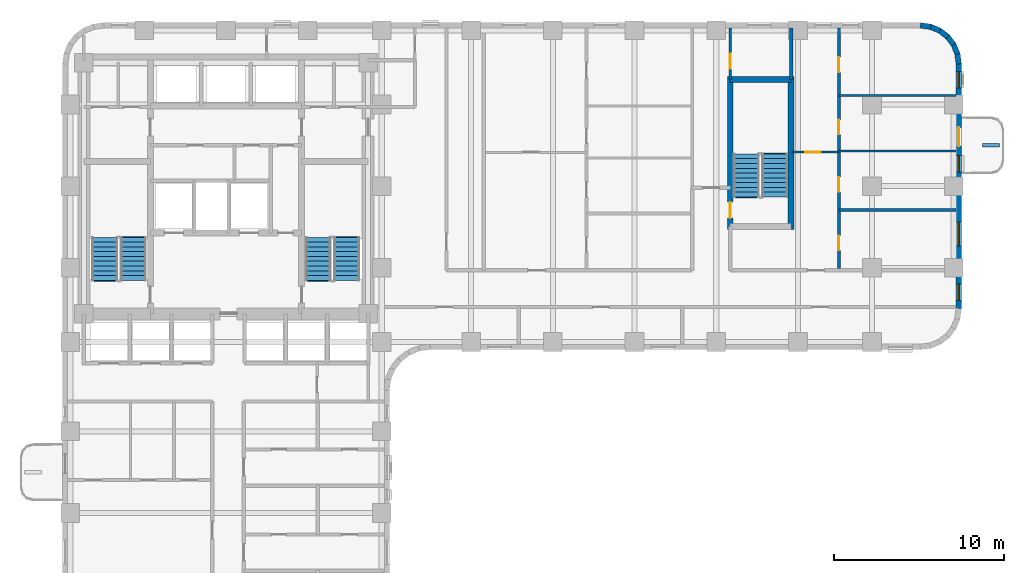
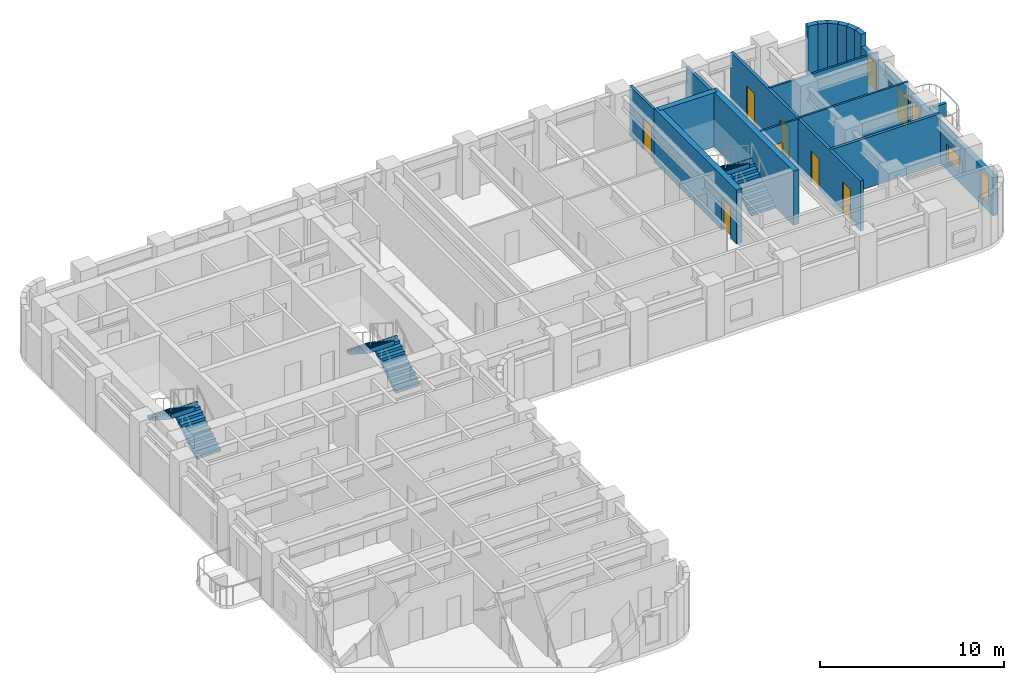
# One storey, part 7 of 11: 18 walls, 8 doors, 6 stair flights, 4 windows, 12 openings, 3 elements without a shape of their own.
"""IFC4 building model written with IfcOpenShell, lengths in metres."""

from ifc_helpers import new_model, si_unit, direction, frame, frame_2d, origin, place, context, subcontext, project, spatial, polyline, rectangle, outline, extrude, material, layer, layer_set, type_object, element, fill, aggregate, save


model = new_model("IFC4")

# Units and contexts
model_context = context("Model", 3, precision=1e-05, world=origin(), true_north=direction((0.0, 1.0)))
body_context = subcontext(model_context, "Body", "Model", "MODEL_VIEW")
ifc_project = project(units=[si_unit("LENGTHUNIT", "METRE"), si_unit("AREAUNIT", "SQUARE_METRE"), si_unit("VOLUMEUNIT", "CUBIC_METRE"), si_unit("PLANEANGLEUNIT", "RADIAN"), si_unit("MASSUNIT", "GRAM", prefix="KILO")], contexts=[model_context])

# Site, building, storey
site_placement = place(None, origin())
site = spatial("IfcSite", under=ifc_project, at=site_placement, CompositionType="ELEMENT")
building_placement = place(site_placement, origin())
building = spatial("IfcBuilding", under=site, at=building_placement, Name="Orvandelia Arch Residences", CompositionType="ELEMENT")
storey_placement = place(building_placement, frame((0.0, 0.0, 61.0)))
storey = spatial("IfcBuildingStorey", under=building, at=storey_placement, Name="L15", CompositionType="ELEMENT", Elevation=61.0)

# Wall, opening, door
ifc_material_1 = material(Name="Concrete C50/60", Category="concrete")
ifc_layer_1 = layer(ifc_material_1, 0.35009765625, Name="Concrete C50/60", Category="concrete")
ifc_layer_set_1 = layer_set([ifc_layer_1], Name="Concrete C50/60")
wall_type_1 = type_object("IfcWallType", Name="WL-CORE-350", PredefinedType="SHEAR", material=ifc_layer_set_1)
wall_1_placement = place(storey_placement, frame((44.02001953125, 35.864990234375, 0.0), z_axis=(0.0, 0.0, 1.0), x_axis=(0.0, 1.0, 0.0)))
wall_1 = element("IfcWall", 1, at=wall_1_placement, inside=storey, type_object=wall_type_1, Name="East Stair Core Shear Wall L15-W", PredefinedType="SHEAR", context=body_context, shape_type="SweptSolid", body=[
    extrude(rectangle(XDim=8.969970703125, YDim=0.35009765625, at=frame_2d((4.48486328125, 0.0))), origin(), (0.0, 0.0, 1.0), 3.60009765625),
])
opening_1_placement = place(wall_1_placement, frame((0.64990234375, 0.0, 0.0)))
opening_1 = element("IfcOpeningElement", 2, at=opening_1_placement, cuts=wall_1, Name="Opening D7", PredefinedType="OPENING", context=body_context, shape_type="SweptSolid", body=[
    extrude(rectangle(XDim=0.949951171875, YDim=2.10009765625, at=frame_2d((0.47509765625, 1.050048828125))), frame((0.0, 0.18505859375, 0.0), z_axis=(0.0, -1.0, 0.0), x_axis=(1.0, 0.0, 0.0)), (0.0, 0.0, 1.0), 0.3701171875),
])
ifc_material_2 = material(Name="Pressurised Stairwell Fire Door")
door_type_1 = type_object("IfcDoorType", Name="DR-STAIR-950", OperationType="NOTDEFINED", PredefinedType="DOOR", material=ifc_material_2)
door_1_placement = place(opening_1_placement, origin())
door_1 = element("IfcDoor", 3, at=door_1_placement, inside=storey, type_object=door_type_1, Name="East Stairwell ST-3 Fire Door L15", OperationType="SINGLE_SWING_LEFT", OverallHeight=2.10009765625, OverallWidth=0.949951171875, PredefinedType="DOOR", context=body_context, shape_type="SweptSolid", body=[
    extrude(rectangle(XDim=0.949951171875, YDim=2.10009765625, at=frame_2d((0.47509765625, 1.050048828125))), frame((0.0, 0.02490234375, 0.0), z_axis=(0.0, -1.0, 0.0), x_axis=(1.0, 0.0, 0.0)), (0.0, 0.0, 1.0), 0.050048828125),
])
fill(opening_1, door_1)

# Walls
wall_2_placement = place(storey_placement, frame((47.60009765625, 35.864990234375, 0.0), z_axis=(0.0, 0.0, 1.0), x_axis=(0.0, 1.0, 0.0)))
element("IfcWall", 4, at=wall_2_placement, inside=storey, type_object=wall_type_1, Name="East Stair Core Shear Wall L15-E", PredefinedType="SHEAR", context=body_context, shape_type="SweptSolid", body=[
    extrude(rectangle(XDim=8.969970703125, YDim=0.35009765625, at=frame_2d((4.48486328125, 0.0))), origin(), (0.0, 0.0, 1.0), 3.60009765625),
])
wall_3_placement = place(storey_placement, frame((44.02001953125, 44.659912109375, 0.0), z_axis=(0.0, 0.0, 1.0), x_axis=(1.0, 0.0, 0.0)))
element("IfcWall", 5, at=wall_3_placement, inside=storey, type_object=wall_type_1, Name="East Stair Core Shear Wall L15-N", PredefinedType="SHEAR", context=body_context, shape_type="SweptSolid", body=[
    extrude(rectangle(XDim=3.580078125, YDim=0.35009765625, at=frame_2d((1.7900390625, 0.0))), origin(), (0.0, 0.0, 1.0), 3.60009765625),
])
ifc_material_3 = material(Name="Concrete C40/50", Category="concrete")
ifc_layer_2 = layer(ifc_material_3, 0.199951171875, Name="Concrete C40/50", Category="concrete")
ifc_layer_set_2 = layer_set([ifc_layer_2], Name="Concrete C40/50")
wall_type_2 = type_object("IfcWallType", Name="WL-DEM-200", PredefinedType="SOLIDWALL", material=ifc_layer_set_2)
wall_4_placement = place(storey_placement, frame((47.60009765625, 44.659912109375, 0.0), z_axis=(0.0, 0.0, 1.0), x_axis=(0.0, 1.0, 0.0)))
element("IfcWall", 6, at=wall_4_placement, inside=storey, type_object=wall_type_2, Name="Interior Partition Wall WL-L15-ES-NST3E", PredefinedType="SOLIDWALL", context=body_context, shape_type="SweptSolid", body=[
    extrude(rectangle(XDim=3.02001953125, YDim=0.199951171875, at=frame_2d((1.510009765625, 0.0))), origin(), (0.0, 0.0, 1.0), 3.35009765625),
])
ifc_material_4 = material(Name="Precast concrete C40/50", Category="concrete")
ifc_layer_3 = layer(ifc_material_4, 0.320068359375, Name="Precast concrete C40/50", Category="concrete")
ifc_layer_set_3 = layer_set([ifc_layer_3], Name="Precast concrete C40/50")
wall_type_3 = type_object("IfcWallType", Name="WL-EXT-STONE-320", PredefinedType="STANDARD", material=ifc_layer_set_3)
for number, where, z_axis, x_axis, name in (
    (7, (55.17919921875, 47.84130859375, 0.0), (0.0, 0.0, 1.0), (0.9914410257, -0.130555323746, 0.0), "Coral-Limestone Precast Facade Wall L15-008"),
    (8, (55.760009765625, 47.7705078125, 0.0), (0.0, 0.0, 1.0), (0.92389335771, -0.382650053678, 0.0), "Coral-Limestone Precast Facade Wall L15-009"),
):
    element("IfcWall", number, at=place(storey_placement, frame(where, z_axis=z_axis, x_axis=x_axis)), inside=storey, type_object=wall_type_3, Name=name, PredefinedType="STANDARD", context=body_context, shape_type="SweptSolid", body=[
        extrude(rectangle(XDim=0.62646484375, YDim=0.320068359375, at=frame_2d((0.313232421875, 0.0))), origin(), (0.0, 0.0, 1.0), 3.35009765625),
    ])
wall_5_placement = place(storey_placement, frame((56.302490234375, 47.551513671875, 0.0), z_axis=(0.0, 0.0, 1.0), x_axis=(0.793549926411, -0.608505147302, 0.0)))
element("IfcWall", 9, at=wall_5_placement, inside=storey, type_object=wall_type_3, Name="Coral-Limestone Precast Facade Wall L15-010", PredefinedType="STANDARD", context=body_context, shape_type="SweptSolid", body=[
    extrude(rectangle(XDim=0.626708984375, YDim=0.320068359375, at=frame_2d((0.3134765625, 0.0))), origin(), (0.0, 0.0, 1.0), 3.35009765625),
])
for number, where, z_axis, x_axis, name in (
    (10, (56.770263671875, 47.19970703125, 0.0), (0.0, 0.0, 1.0), (0.608693302629, -0.793405610854, 0.0), "Coral-Limestone Precast Facade Wall L15-011"),
    (11, (57.130615234375, 46.73876953125, 0.0), (0.0, 0.0, 1.0), (0.382650053678, -0.92389335771, 0.0), "Coral-Limestone Precast Facade Wall L15-012"),
    (12, (57.359619140625, 46.2001953125, 0.0), (0.0, 0.0, 1.0), (0.130555323746, -0.9914410257, 0.0), "Coral-Limestone Precast Facade Wall L15-013"),
):
    element("IfcWall", number, at=place(storey_placement, frame(where, z_axis=z_axis, x_axis=x_axis)), inside=storey, type_object=wall_type_3, Name=name, PredefinedType="STANDARD", context=body_context, shape_type="SweptSolid", body=[
        extrude(rectangle(XDim=0.62646484375, YDim=0.320068359375, at=frame_2d((0.313232421875, 0.0))), origin(), (0.0, 0.0, 1.0), 3.35009765625),
    ])

# Wall, openings, door, windows
wall_6_placement = place(storey_placement, frame((57.43994140625, 45.60009765625, 0.0), z_axis=(0.0, 0.0, 1.0), x_axis=(0.0, -1.0, 0.0)))
wall_6 = element("IfcWall", 13, at=wall_6_placement, inside=storey, type_object=wall_type_3, Name="Coral-Limestone Precast Facade Wall L15-014", PredefinedType="STANDARD", context=body_context, shape_type="SweptSolid", body=[
    extrude(rectangle(XDim=14.400146484375, YDim=0.320068359375, at=frame_2d((7.2001953125, 0.0))), origin(), (0.0, 0.0, 1.0), 2.530029296875),
])
opening_2_placement = place(wall_6_placement, frame((3.75, 0.0, 0.0)))
opening_2 = element("IfcOpeningElement", 14, at=opening_2_placement, cuts=wall_6, Name="Opening BD1", PredefinedType="OPENING", context=body_context, shape_type="SweptSolid", body=[
    extrude(rectangle(XDim=1.10009765625, YDim=2.14990234375, at=frame_2d((0.550048828125, 1.074951171875))), frame((0.0, 0.169921875, 0.0), z_axis=(0.0, -1.0, 0.0), x_axis=(1.0, 0.0, 0.0)), (0.0, 0.0, 1.0), 0.340087890625),
])
opening_3_placement = place(wall_6_placement, frame((0.469970703125, 0.0, 0.449951171875)))
opening_3 = element("IfcOpeningElement", 15, at=opening_3_placement, cuts=wall_6, Name="Opening W4", PredefinedType="OPENING", context=body_context, shape_type="SweptSolid", body=[
    extrude(rectangle(XDim=0.949951171875, YDim=1.800048828125, at=frame_2d((0.47509765625, 0.89990234375))), frame((0.0, 0.169921875, 0.0), z_axis=(0.0, -1.0, 0.0), x_axis=(1.0, 0.0, 0.0)), (0.0, 0.0, 1.0), 0.340087890625),
])
opening_4_placement = place(wall_6_placement, frame((12.9599609375, 0.0, 0.449951171875)))
opening_4 = element("IfcOpeningElement", 16, at=opening_4_placement, cuts=wall_6, Name="Opening W4", PredefinedType="OPENING", context=body_context, shape_type="SweptSolid", body=[
    extrude(rectangle(XDim=0.949951171875, YDim=1.800048828125, at=frame_2d((0.47509765625, 0.89990234375))), frame((0.0, 0.169921875, 0.0), z_axis=(0.0, -1.0, 0.0), x_axis=(1.0, 0.0, 0.0)), (0.0, 0.0, 1.0), 0.340087890625),
])
opening_5_placement = place(wall_6_placement, frame((9.3115234375, 0.0, 0.64990234375)))
opening_5 = element("IfcOpeningElement", 17, at=opening_5_placement, cuts=wall_6, Name="Opening W10", PredefinedType="OPENING", context=body_context, shape_type="SweptSolid", body=[
    extrude(rectangle(XDim=1.39990234375, YDim=1.10009765625, at=frame_2d((0.699951171875, 0.550048828125))), frame((0.0, 0.169921875, 0.0), z_axis=(0.0, -1.0, 0.0), x_axis=(1.0, 0.0, 0.0)), (0.0, 0.0, 1.0), 0.340087890625),
])
opening_6_placement = place(wall_6_placement, frame((5.407470703125, 0.0, 0.449951171875)))
opening_6 = element("IfcOpeningElement", 18, at=opening_6_placement, cuts=wall_6, Name="Opening W4", PredefinedType="OPENING", context=body_context, shape_type="SweptSolid", body=[
    extrude(rectangle(XDim=0.949951171875, YDim=1.800048828125, at=frame_2d((0.47509765625, 0.89990234375))), frame((0.0, 0.169921875, 0.0), z_axis=(0.0, -1.0, 0.0), x_axis=(1.0, 0.0, 0.0)), (0.0, 0.0, 1.0), 0.340087890625),
])
ifc_material_5 = material(Name="Thermally Broken Aluminium Glazed Door", Category="aluminium")
door_type_2 = type_object("IfcDoorType", Name="DR-BAL-GLAZ-1100", OperationType="NOTDEFINED", PredefinedType="DOOR", material=ifc_material_5)
door_2_placement = place(opening_2_placement, origin())
door_2 = element("IfcDoor", 19, at=door_2_placement, inside=storey, type_object=door_type_2, Name="Tree Balcony Glazed Door BAL-L15-E1", OperationType="SINGLE_SWING_LEFT", OverallHeight=2.14990234375, OverallWidth=1.10009765625, PredefinedType="DOOR", context=body_context, shape_type="SweptSolid", body=[
    extrude(rectangle(XDim=1.10009765625, YDim=2.14990234375, at=frame_2d((0.550048828125, 1.074951171875))), frame((0.0, 0.02490234375, 0.0), z_axis=(0.0, -1.0, 0.0), x_axis=(1.0, 0.0, 0.0)), (0.0, 0.0, 1.0), 0.050048828125),
])
fill(opening_2, door_2)
ifc_material_6 = material(Name="Tempered Low-E Insulated Glazing", Category="glass")
window_type_1 = type_object("IfcWindowType", Name="WIN-CLR-1400x1100", PartitioningType="SINGLE_PANEL", PredefinedType="WINDOW", material=ifc_material_6)
window_1_placement = place(opening_5_placement, origin())
window_1 = element("IfcWindow", 20, at=window_1_placement, inside=storey, type_object=window_type_1, Name="Recessed Punched Window L15-011", OverallHeight=1.10009765625, OverallWidth=1.39990234375, PartitioningType="SINGLE_PANEL", PredefinedType="WINDOW", context=body_context, shape_type="SweptSolid", body=[
    extrude(rectangle(XDim=1.39990234375, YDim=1.10009765625, at=frame_2d((0.699951171875, 0.550048828125))), frame((0.0, 0.030029296875, 0.0), z_axis=(0.0, -1.0, 0.0), x_axis=(1.0, 0.0, 0.0)), (0.0, 0.0, 1.0), 0.06005859375),
])
fill(opening_5, window_1)
window_type_2 = type_object("IfcWindowType", Name="WIN-RES-0950x1800", PartitioningType="SINGLE_PANEL", PredefinedType="WINDOW", material=ifc_material_6)
window_2_placement = place(opening_3_placement, origin())
window_2 = element("IfcWindow", 21, at=window_2_placement, inside=storey, type_object=window_type_2, Name="Recessed Punched Window L15-009", OverallHeight=1.800048828125, OverallWidth=0.949951171875, PartitioningType="SINGLE_PANEL", PredefinedType="WINDOW", context=body_context, shape_type="SweptSolid", body=[
    extrude(rectangle(XDim=0.949951171875, YDim=1.800048828125, at=frame_2d((0.47509765625, 0.89990234375))), frame((0.0, 0.030029296875, 0.0), z_axis=(0.0, -1.0, 0.0), x_axis=(1.0, 0.0, 0.0)), (0.0, 0.0, 1.0), 0.06005859375),
])
fill(opening_3, window_2)
window_3_placement = place(opening_4_placement, origin())
window_3 = element("IfcWindow", 22, at=window_3_placement, inside=storey, type_object=window_type_2, Name="Recessed Punched Window L15-010", OverallHeight=1.800048828125, OverallWidth=0.949951171875, PartitioningType="SINGLE_PANEL", PredefinedType="WINDOW", context=body_context, shape_type="SweptSolid", body=[
    extrude(rectangle(XDim=0.949951171875, YDim=1.800048828125, at=frame_2d((0.47509765625, 0.89990234375))), frame((0.0, 0.030029296875, 0.0), z_axis=(0.0, -1.0, 0.0), x_axis=(1.0, 0.0, 0.0)), (0.0, 0.0, 1.0), 0.06005859375),
])
fill(opening_4, window_3)
window_4_placement = place(opening_6_placement, origin())
window_4 = element("IfcWindow", 23, at=window_4_placement, inside=storey, type_object=window_type_2, Name="Recessed Punched Window L15-012", OverallHeight=1.800048828125, OverallWidth=0.949951171875, PartitioningType="SINGLE_PANEL", PredefinedType="WINDOW", context=body_context, shape_type="SweptSolid", body=[
    extrude(rectangle(XDim=0.949951171875, YDim=1.800048828125, at=frame_2d((0.47509765625, 0.89990234375))), frame((0.0, 0.030029296875, 0.0), z_axis=(0.0, -1.0, 0.0), x_axis=(1.0, 0.0, 0.0)), (0.0, 0.0, 1.0), 0.06005859375),
])
fill(opening_6, window_4)

# Wall, opening, door
ifc_material_7 = material(Name="Lightweight Gypsum Stud Partition")
ifc_layer_4 = layer(ifc_material_7, 0.1201171875, Name="Lightweight Gypsum Stud Partition")
ifc_layer_set_4 = layer_set([ifc_layer_4], Name="Lightweight Gypsum Stud Partition")
wall_type_4 = type_object("IfcWallType", Name="WL-PART-120", PredefinedType="PARTITIONING", material=ifc_layer_set_4)
wall_7_placement = place(storey_placement, frame((47.639892578125, 40.39404296875, 0.0), z_axis=(0.0, 0.0, 1.0), x_axis=(1.0, 0.0, 0.0)))
wall_7 = element("IfcWall", 24, at=wall_7_placement, inside=storey, type_object=wall_type_4, Name="Interior Partition Wall WL-L15-U08-DIN", PredefinedType="PARTITIONING", context=body_context, shape_type="SweptSolid", body=[
    extrude(rectangle(XDim=2.757080078125, YDim=0.1201171875, at=frame_2d((1.37841796875, 0.0))), origin(), (0.0, 0.0, 1.0), 3.35009765625),
])
opening_7_placement = place(wall_7_placement, frame((0.799560546875, 0.0, 0.0)))
opening_7 = element("IfcOpeningElement", 25, at=opening_7_placement, cuts=wall_7, Name="Opening D3", PredefinedType="OPENING", context=body_context, shape_type="SweptSolid", body=[
    extrude(rectangle(XDim=0.89990234375, YDim=2.14990234375, at=frame_2d((0.449951171875, 1.074951171875))), frame((0.0, 0.070068359375, 0.0), z_axis=(0.0, -1.0, 0.0), x_axis=(1.0, 0.0, 0.0)), (0.0, 0.0, 1.0), 0.14013671875),
])
ifc_material_8 = material(Name="Engineered Timber Flush Door", Category="wood")
door_type_3 = type_object("IfcDoorType", Name="DR-INT-900", OperationType="NOTDEFINED", PredefinedType="DOOR", material=ifc_material_8)
door_3_placement = place(opening_7_placement, origin())
door_3 = element("IfcDoor", 26, at=door_3_placement, inside=storey, type_object=door_type_3, Name="DR-L15-U08-DIN", OperationType="SINGLE_SWING_LEFT", OverallHeight=2.14990234375, OverallWidth=0.89990234375, PredefinedType="DOOR", context=body_context, shape_type="SweptSolid", body=[
    extrude(rectangle(XDim=0.89990234375, YDim=2.14990234375, at=frame_2d((0.449951171875, 1.074951171875))), frame((0.0, 0.02490234375, 0.0), z_axis=(0.0, -1.0, 0.0), x_axis=(1.0, 0.0, 0.0)), (0.0, 0.0, 1.0), 0.050048828125),
])
fill(opening_7, door_3)

# Walls
for number, where, z_axis, x_axis, name in (
    (27, (50.39697265625, 40.465087890625, 0.0), (0.0, 0.0, 1.0), (1.0, 0.0, 0.0), "Interior Partition Wall WL-L15-U08-H1B"),
    (28, (50.39697265625, 43.718994140625, 0.0), (0.0, 0.0, 1.0), (1.0, 0.0, 0.0), "Interior Partition Wall WL-L15-U08-H2"),
):
    element("IfcWall", number, at=place(storey_placement, frame(where, z_axis=z_axis, x_axis=x_axis)), inside=storey, type_object=wall_type_4, Name=name, PredefinedType="PARTITIONING", context=body_context, shape_type="SweptSolid", body=[
        extrude(rectangle(XDim=6.883056640625, YDim=0.1201171875, at=frame_2d((3.44140625, 0.0))), origin(), (0.0, 0.0, 1.0), 3.35009765625),
    ])

# Wall, opening, door
ifc_material_9 = material(Name="Acoustic Gypsum Stud Partition")
ifc_layer_5 = layer(ifc_material_9, 0.14990234375, Name="Acoustic Gypsum Stud Partition")
ifc_layer_set_5 = layer_set([ifc_layer_5], Name="Acoustic Gypsum Stud Partition")
wall_type_5 = type_object("IfcWallType", Name="WL-PART-150", PredefinedType="PARTITIONING", material=ifc_layer_set_5)
wall_8_placement = place(storey_placement, frame((44.02001953125, 44.659912109375, 0.0), z_axis=(0.0, 0.0, 1.0), x_axis=(0.0, 1.0, 0.0)))
wall_8 = element("IfcWall", 29, at=wall_8_placement, inside=storey, type_object=wall_type_5, Name="Interior Partition Wall WL-L15-ES-NST3W", PredefinedType="PARTITIONING", context=body_context, shape_type="SweptSolid", body=[
    extrude(rectangle(XDim=3.02001953125, YDim=0.14990234375, at=frame_2d((1.510009765625, 0.0))), origin(), (0.0, 0.0, 1.0), 3.35009765625),
])
opening_8_placement = place(wall_8_placement, frame((0.64990234375, 0.0, 0.0)))
opening_8 = element("IfcOpeningElement", 30, at=opening_8_placement, cuts=wall_8, Name="Opening D5", PredefinedType="OPENING", context=body_context, shape_type="SweptSolid", body=[
    extrude(rectangle(XDim=0.8798828125, YDim=2.10009765625, at=frame_2d((0.43994140625, 1.050048828125))), frame((0.0, 0.0849609375, 0.0), z_axis=(0.0, -1.0, 0.0), x_axis=(1.0, 0.0, 0.0)), (0.0, 0.0, 1.0), 0.169921875),
])
ifc_material_10 = material(Name="Painted Galvanised Steel Service Door", Category="steel")
door_type_4 = type_object("IfcDoorType", Name="DR-SRV-880", OperationType="NOTDEFINED", PredefinedType="DOOR", material=ifc_material_10)
door_4_placement = place(opening_8_placement, origin())
door_4 = element("IfcDoor", 31, at=door_4_placement, inside=storey, type_object=door_type_4, Name="DR-L15-ESNST3", OperationType="SINGLE_SWING_RIGHT", OverallHeight=2.10009765625, OverallWidth=0.8798828125, PredefinedType="DOOR", context=body_context, shape_type="SweptSolid", body=[
    extrude(rectangle(XDim=0.8798828125, YDim=2.10009765625, at=frame_2d((0.43994140625, 1.050048828125))), frame((0.0, 0.02490234375, 0.0), z_axis=(0.0, -1.0, 0.0), x_axis=(1.0, 0.0, 0.0)), (0.0, 0.0, 1.0), 0.050048828125),
])
fill(opening_8, door_4)

# Wall
ifc_layer_6 = layer(ifc_material_4, 0.199951171875, Name="Precast concrete C40/50", Category="concrete")
ifc_layer_set_6 = layer_set([ifc_layer_6], Name="Precast concrete C40/50")
wall_type_6 = type_object("IfcWallType", Name="WL-PLANTER-200", PredefinedType="MOVABLE", material=ifc_layer_set_6)
wall_9_placement = place(storey_placement, frame((58.85009765625, 40.800048828125, 0.0), z_axis=(0.0, 0.0, 1.0), x_axis=(1.0, 0.0, 0.0)))
element("IfcWall", 32, at=wall_9_placement, inside=storey, type_object=wall_type_6, Name="Balcony Precast Tree Planter BAL-L15-E1", PredefinedType="MOVABLE", context=body_context, shape_type="SweptSolid", body=[
    extrude(rectangle(XDim=1.0, YDim=0.199951171875, at=frame_2d((0.5, 0.0))), origin(), (0.0, 0.0, 1.0), 0.85009765625),
])

# Wall, openings, doors
ifc_material_11 = material(Name="Moisture-Resistant Plumbing Wall")
ifc_layer_7 = layer(ifc_material_11, 0.179931640625, Name="Moisture-Resistant Plumbing Wall")
ifc_layer_set_7 = layer_set([ifc_layer_7], Name="Moisture-Resistant Plumbing Wall")
wall_type_7 = type_object("IfcWallType", Name="WL-WET-180", PredefinedType="PLUMBINGWALL", material=ifc_layer_set_7)
wall_10_placement = place(storey_placement, frame((50.39697265625, 33.550048828125, 0.0), z_axis=(0.0, 0.0, 1.0), x_axis=(0.0, 1.0, 0.0)))
wall_10 = element("IfcWall", 33, at=wall_10_placement, inside=storey, type_object=wall_type_7, Name="Interior Partition Wall WL-L15-U08-VT", PredefinedType="PLUMBINGWALL", context=body_context, shape_type="SweptSolid", body=[
    extrude(rectangle(XDim=14.1298828125, YDim=0.179931640625, at=frame_2d((7.06494140625, 0.0))), origin(), (0.0, 0.0, 1.0), 3.35009765625),
])
opening_9_placement = place(wall_10_placement, frame((1.0830078125, 0.0, 0.0)))
opening_9 = element("IfcOpeningElement", 34, at=opening_9_placement, cuts=wall_10, Name="Opening D4", PredefinedType="OPENING", context=body_context, shape_type="SweptSolid", body=[
    extrude(rectangle(XDim=0.860107421875, YDim=2.10009765625, at=frame_2d((0.43017578125, 1.050048828125))), frame((0.0, 0.10009765625, 0.0), z_axis=(0.0, -1.0, 0.0), x_axis=(1.0, 0.0, 0.0)), (0.0, 0.0, 1.0), 0.199951171875),
])
opening_10_placement = place(wall_10_placement, frame((4.51806640625, 0.0, 0.0)))
opening_10 = element("IfcOpeningElement", 35, at=opening_10_placement, cuts=wall_10, Name="Opening D4", PredefinedType="OPENING", context=body_context, shape_type="SweptSolid", body=[
    extrude(rectangle(XDim=0.860107421875, YDim=2.10009765625, at=frame_2d((0.43017578125, 1.050048828125))), frame((0.0, 0.10009765625, 0.0), z_axis=(0.0, -1.0, 0.0), x_axis=(1.0, 0.0, 0.0)), (0.0, 0.0, 1.0), 0.199951171875),
])
opening_11_placement = place(wall_10_placement, frame((7.88427734375, 0.0, 0.0)))
opening_11 = element("IfcOpeningElement", 36, at=opening_11_placement, cuts=wall_10, Name="Opening D4", PredefinedType="OPENING", context=body_context, shape_type="SweptSolid", body=[
    extrude(rectangle(XDim=0.860107421875, YDim=2.10009765625, at=frame_2d((0.43017578125, 1.050048828125))), frame((0.0, 0.10009765625, 0.0), z_axis=(0.0, -1.0, 0.0), x_axis=(1.0, 0.0, 0.0)), (0.0, 0.0, 1.0), 0.199951171875),
])
opening_12_placement = place(wall_10_placement, frame((11.5283203125, 0.0, 0.0)))
opening_12 = element("IfcOpeningElement", 37, at=opening_12_placement, cuts=wall_10, Name="Opening D3", PredefinedType="OPENING", context=body_context, shape_type="SweptSolid", body=[
    extrude(rectangle(XDim=0.89990234375, YDim=2.14990234375, at=frame_2d((0.449951171875, 1.074951171875))), frame((0.0, 0.10009765625, 0.0), z_axis=(0.0, -1.0, 0.0), x_axis=(1.0, 0.0, 0.0)), (0.0, 0.0, 1.0), 0.199951171875),
])
door_5_placement = place(opening_12_placement, origin())
door_5 = element("IfcDoor", 38, at=door_5_placement, inside=storey, type_object=door_type_3, Name="DR-L15-U08-BD1", OperationType="SINGLE_SWING_RIGHT", OverallHeight=2.14990234375, OverallWidth=0.89990234375, PredefinedType="DOOR", context=body_context, shape_type="SweptSolid", body=[
    extrude(rectangle(XDim=0.89990234375, YDim=2.14990234375, at=frame_2d((0.449951171875, 1.074951171875))), frame((0.0, 0.02490234375, 0.0), z_axis=(0.0, -1.0, 0.0), x_axis=(1.0, 0.0, 0.0)), (0.0, 0.0, 1.0), 0.050048828125),
])
fill(opening_12, door_5)
ifc_material_12 = material(Name="Moisture-Sealed Timber Bathroom Door", Category="wood")
door_type_5 = type_object("IfcDoorType", Name="DR-WET-900", OperationType="NOTDEFINED", PredefinedType="DOOR", material=ifc_material_12)
door_6_placement = place(opening_9_placement, origin())
door_6 = element("IfcDoor", 39, at=door_6_placement, inside=storey, type_object=door_type_5, Name="DR-L15-U08-BTH", OperationType="SINGLE_SWING_LEFT", OverallHeight=2.10009765625, OverallWidth=0.860107421875, PredefinedType="DOOR", context=body_context, shape_type="SweptSolid", body=[
    extrude(rectangle(XDim=0.860107421875, YDim=2.10009765625, at=frame_2d((0.43017578125, 1.050048828125))), frame((0.0, 0.02490234375, 0.0), z_axis=(0.0, -1.0, 0.0), x_axis=(1.0, 0.0, 0.0)), (0.0, 0.0, 1.0), 0.050048828125),
])
fill(opening_9, door_6)
door_7_placement = place(opening_10_placement, origin())
door_7 = element("IfcDoor", 40, at=door_7_placement, inside=storey, type_object=door_type_5, Name="DR-L15-U08-KIT", OperationType="SINGLE_SWING_RIGHT", OverallHeight=2.10009765625, OverallWidth=0.860107421875, PredefinedType="DOOR", context=body_context, shape_type="SweptSolid", body=[
    extrude(rectangle(XDim=0.860107421875, YDim=2.10009765625, at=frame_2d((0.43017578125, 1.050048828125))), frame((0.0, 0.02490234375, 0.0), z_axis=(0.0, -1.0, 0.0), x_axis=(1.0, 0.0, 0.0)), (0.0, 0.0, 1.0), 0.050048828125),
])
fill(opening_10, door_7)
door_8_placement = place(opening_11_placement, origin())
door_8 = element("IfcDoor", 41, at=door_8_placement, inside=storey, type_object=door_type_5, Name="DR-L15-U08-STDY", OperationType="SINGLE_SWING_LEFT", OverallHeight=2.10009765625, OverallWidth=0.860107421875, PredefinedType="DOOR", context=body_context, shape_type="SweptSolid", body=[
    extrude(rectangle(XDim=0.860107421875, YDim=2.10009765625, at=frame_2d((0.43017578125, 1.050048828125))), frame((0.0, 0.02490234375, 0.0), z_axis=(0.0, -1.0, 0.0), x_axis=(1.0, 0.0, 0.0)), (0.0, 0.0, 1.0), 0.050048828125),
])
fill(opening_11, door_8)

# Wall
wall_11_placement = place(storey_placement, frame((50.39697265625, 37.007080078125, 0.0), z_axis=(0.0, 0.0, 1.0), x_axis=(1.0, 0.0, 0.0)))
element("IfcWall", 42, at=wall_11_placement, inside=storey, type_object=wall_type_7, Name="Interior Partition Wall WL-L15-U08-H1", PredefinedType="PLUMBINGWALL", context=body_context, shape_type="SweptSolid", body=[
    extrude(rectangle(XDim=6.883056640625, YDim=0.179931640625, at=frame_2d((3.44140625, 0.0))), origin(), (0.0, 0.0, 1.0), 3.35009765625),
])

# Stair, stair flights
stair_type = type_object("IfcStairType", Name="STAIR-RC-DOGLEG", PredefinedType="HALF_TURN_STAIR", material=ifc_material_3)
stair_1_placement = place(storey_placement, origin())
stair_1 = element("IfcStair", 43, at=stair_1_placement, inside=storey, type_object=stair_type, Name="L15 Protected Exit Stair ST-1", PredefinedType="HALF_TURN_STAIR")
stair_flight_type = type_object("IfcStairFlightType", Name="STFLT-RC-1520", PredefinedType="STRAIGHT", material=ifc_material_3)
stair_flight_1_placement = place(storey_placement, frame((8.9599609375, 32.8701171875, 0.0), z_axis=(0.0, 0.0, 1.0), x_axis=(0.0, 1.0, 0.0)))
stair_flight_1 = element("IfcStairFlight", 44, at=stair_flight_1_placement, type_object=stair_flight_type, Name="ST-1 flight 1", NumberOfRisers=10, NumberOfTreads=9, PredefinedType="STRAIGHT", RiserHeight=0.18, TreadLength=0.28, context=body_context, shape_type="SweptSolid", body=[
    extrude(outline(polyline([(0.0, 0.0), (0.0, 0.179931640625), (0.280029296875, 0.179931640625), (0.280029296875, 0.360107421875), (0.56005859375, 0.360107421875), (0.56005859375, 0.5400390625), (0.840087890625, 0.5400390625), (0.840087890625, 0.719970703125), (1.1201171875, 0.719970703125), (1.1201171875, 0.89990234375), (1.39990234375, 0.89990234375), (1.39990234375, 1.080078125), (1.679931640625, 1.080078125), (1.679931640625, 1.260009765625), (1.9599609375, 1.260009765625), (1.9599609375, 1.43994140625), (2.239990234375, 1.43994140625), (2.239990234375, 1.6201171875), (2.52001953125, 1.6201171875), (2.52001953125, 1.800048828125), (2.580078125, 1.800048828125), (2.580078125, 1.6201171875), (2.52001953125, 1.44189453125), (0.277099609375, 0.0), (0.0, 0.0)])), frame((0.0, 0.760009765625, 0.0), z_axis=(0.0, -1.0, 0.0), x_axis=(1.0, 0.0, 0.0)), (0.0, 0.0, 1.0), 1.52001953125),
])
stair_flight_2_placement = place(storey_placement, frame((7.2900390625, 35.389892578125, 1.800048828125), z_axis=(0.0, 0.0, 1.0), x_axis=(0.0, -1.0, 0.0)))
stair_flight_2 = element("IfcStairFlight", 45, at=stair_flight_2_placement, type_object=stair_flight_type, Name="ST-1 flight 2", NumberOfRisers=10, NumberOfTreads=9, PredefinedType="STRAIGHT", RiserHeight=0.18, TreadLength=0.28, context=body_context, shape_type="SweptSolid", body=[
    extrude(outline(polyline([(0.0, 0.0), (0.0, 0.179931640625), (0.280029296875, 0.179931640625), (0.280029296875, 0.360107421875), (0.56005859375, 0.360107421875), (0.56005859375, 0.5400390625), (0.840087890625, 0.5400390625), (0.840087890625, 0.719970703125), (1.1201171875, 0.719970703125), (1.1201171875, 0.89990234375), (1.39990234375, 0.89990234375), (1.39990234375, 1.080078125), (1.679931640625, 1.080078125), (1.679931640625, 1.260009765625), (1.9599609375, 1.260009765625), (1.9599609375, 1.43994140625), (2.239990234375, 1.43994140625), (2.239990234375, 1.6201171875), (2.52001953125, 1.6201171875), (2.52001953125, 1.800048828125), (2.580078125, 1.800048828125), (2.580078125, 1.6201171875), (2.52001953125, 1.44189453125), (0.277099609375, 0.0), (0.0, 0.0)])), frame((0.0, 0.760009765625, 0.0), z_axis=(0.0, -1.0, 0.0), x_axis=(1.0, 0.0, 0.0)), (0.0, 0.0, 1.0), 1.52001953125),
])
aggregate(stair_1, [stair_flight_1, stair_flight_2])

stair_2_placement = place(storey_placement, origin())
stair_2 = element("IfcStair", 46, at=stair_2_placement, inside=storey, type_object=stair_type, Name="L15 Protected Exit Stair ST-2", PredefinedType="HALF_TURN_STAIR")
stair_flight_3_placement = place(storey_placement, frame((21.489990234375, 32.8701171875, 0.0), z_axis=(0.0, 0.0, 1.0), x_axis=(0.0, 1.0, 0.0)))
stair_flight_3 = element("IfcStairFlight", 47, at=stair_flight_3_placement, type_object=stair_flight_type, Name="ST-2 flight 1", NumberOfRisers=10, NumberOfTreads=9, PredefinedType="STRAIGHT", RiserHeight=0.18, TreadLength=0.28, context=body_context, shape_type="SweptSolid", body=[
    extrude(outline(polyline([(0.0, 0.0), (0.0, 0.179931640625), (0.280029296875, 0.179931640625), (0.280029296875, 0.360107421875), (0.56005859375, 0.360107421875), (0.56005859375, 0.5400390625), (0.840087890625, 0.5400390625), (0.840087890625, 0.719970703125), (1.1201171875, 0.719970703125), (1.1201171875, 0.89990234375), (1.39990234375, 0.89990234375), (1.39990234375, 1.080078125), (1.679931640625, 1.080078125), (1.679931640625, 1.260009765625), (1.9599609375, 1.260009765625), (1.9599609375, 1.43994140625), (2.239990234375, 1.43994140625), (2.239990234375, 1.6201171875), (2.52001953125, 1.6201171875), (2.52001953125, 1.800048828125), (2.580078125, 1.800048828125), (2.580078125, 1.6201171875), (2.52001953125, 1.44189453125), (0.277099609375, 0.0), (0.0, 0.0)])), frame((0.0, 0.760009765625, 0.0), z_axis=(0.0, -1.0, 0.0), x_axis=(1.0, 0.0, 0.0)), (0.0, 0.0, 1.0), 1.52001953125),
])
stair_flight_4_placement = place(storey_placement, frame((19.820068359375, 35.389892578125, 1.800048828125), z_axis=(0.0, 0.0, 1.0), x_axis=(0.0, -1.0, 0.0)))
stair_flight_4 = element("IfcStairFlight", 48, at=stair_flight_4_placement, type_object=stair_flight_type, Name="ST-2 flight 2", NumberOfRisers=10, NumberOfTreads=9, PredefinedType="STRAIGHT", RiserHeight=0.18, TreadLength=0.28, context=body_context, shape_type="SweptSolid", body=[
    extrude(outline(polyline([(0.0, 0.0), (0.0, 0.179931640625), (0.280029296875, 0.179931640625), (0.280029296875, 0.360107421875), (0.56005859375, 0.360107421875), (0.56005859375, 0.5400390625), (0.840087890625, 0.5400390625), (0.840087890625, 0.719970703125), (1.1201171875, 0.719970703125), (1.1201171875, 0.89990234375), (1.39990234375, 0.89990234375), (1.39990234375, 1.080078125), (1.679931640625, 1.080078125), (1.679931640625, 1.260009765625), (1.9599609375, 1.260009765625), (1.9599609375, 1.43994140625), (2.239990234375, 1.43994140625), (2.239990234375, 1.6201171875), (2.52001953125, 1.6201171875), (2.52001953125, 1.800048828125), (2.580078125, 1.800048828125), (2.580078125, 1.6201171875), (2.52001953125, 1.44189453125), (0.277099609375, 0.0), (0.0, 0.0)])), frame((0.0, 0.760009765625, 0.0), z_axis=(0.0, -1.0, 0.0), x_axis=(1.0, 0.0, 0.0)), (0.0, 0.0, 1.0), 1.52001953125),
])
aggregate(stair_2, [stair_flight_3, stair_flight_4])

stair_3_placement = place(storey_placement, origin())
stair_3 = element("IfcStair", 49, at=stair_3_placement, inside=storey, type_object=stair_type, Name="L15 East Wing Exit Stair ST-3", PredefinedType="HALF_TURN_STAIR")
stair_flight_5_placement = place(storey_placement, frame((46.639892578125, 37.77001953125, 0.0), z_axis=(0.0, 0.0, 1.0), x_axis=(0.0, 1.0, 0.0)))
stair_flight_5 = element("IfcStairFlight", 50, at=stair_flight_5_placement, type_object=stair_flight_type, Name="ST-3 flight 1", NumberOfRisers=10, NumberOfTreads=9, PredefinedType="STRAIGHT", RiserHeight=0.18, TreadLength=0.28, context=body_context, shape_type="SweptSolid", body=[
    extrude(outline(polyline([(0.0, 0.0), (0.0, 0.179931640625), (0.280029296875, 0.179931640625), (0.280029296875, 0.360107421875), (0.56005859375, 0.360107421875), (0.56005859375, 0.5400390625), (0.840087890625, 0.5400390625), (0.840087890625, 0.719970703125), (1.1201171875, 0.719970703125), (1.1201171875, 0.89990234375), (1.39990234375, 0.89990234375), (1.39990234375, 1.080078125), (1.679931640625, 1.080078125), (1.679931640625, 1.260009765625), (1.9599609375, 1.260009765625), (1.9599609375, 1.43994140625), (2.239990234375, 1.43994140625), (2.239990234375, 1.6201171875), (2.52001953125, 1.6201171875), (2.52001953125, 1.800048828125), (2.580078125, 1.800048828125), (2.580078125, 1.6201171875), (2.52001953125, 1.44189453125), (0.277099609375, 0.0), (0.0, 0.0)])), frame((0.0, 0.760009765625, 0.0), z_axis=(0.0, -1.0, 0.0), x_axis=(1.0, 0.0, 0.0)), (0.0, 0.0, 1.0), 1.52001953125),
])
stair_flight_6_placement = place(storey_placement, frame((44.969970703125, 40.2900390625, 1.800048828125), z_axis=(0.0, 0.0, 1.0), x_axis=(0.0, -1.0, 0.0)))
stair_flight_6 = element("IfcStairFlight", 51, at=stair_flight_6_placement, type_object=stair_flight_type, Name="ST-3 flight 2", NumberOfRisers=10, NumberOfTreads=9, PredefinedType="STRAIGHT", RiserHeight=0.18, TreadLength=0.28, context=body_context, shape_type="SweptSolid", body=[
    extrude(outline(polyline([(0.0, 0.0), (0.0, 0.179931640625), (0.280029296875, 0.179931640625), (0.280029296875, 0.360107421875), (0.56005859375, 0.360107421875), (0.56005859375, 0.5400390625), (0.840087890625, 0.5400390625), (0.840087890625, 0.719970703125), (1.1201171875, 0.719970703125), (1.1201171875, 0.89990234375), (1.39990234375, 0.89990234375), (1.39990234375, 1.080078125), (1.679931640625, 1.080078125), (1.679931640625, 1.260009765625), (1.9599609375, 1.260009765625), (1.9599609375, 1.43994140625), (2.239990234375, 1.43994140625), (2.239990234375, 1.6201171875), (2.52001953125, 1.6201171875), (2.52001953125, 1.800048828125), (2.580078125, 1.800048828125), (2.580078125, 1.6201171875), (2.52001953125, 1.44189453125), (0.277099609375, 0.0), (0.0, 0.0)])), frame((0.0, 0.760009765625, 0.0), z_axis=(0.0, -1.0, 0.0), x_axis=(1.0, 0.0, 0.0)), (0.0, 0.0, 1.0), 1.52001953125),
])
aggregate(stair_3, [stair_flight_5, stair_flight_6])

save(model, "model.ifc")
